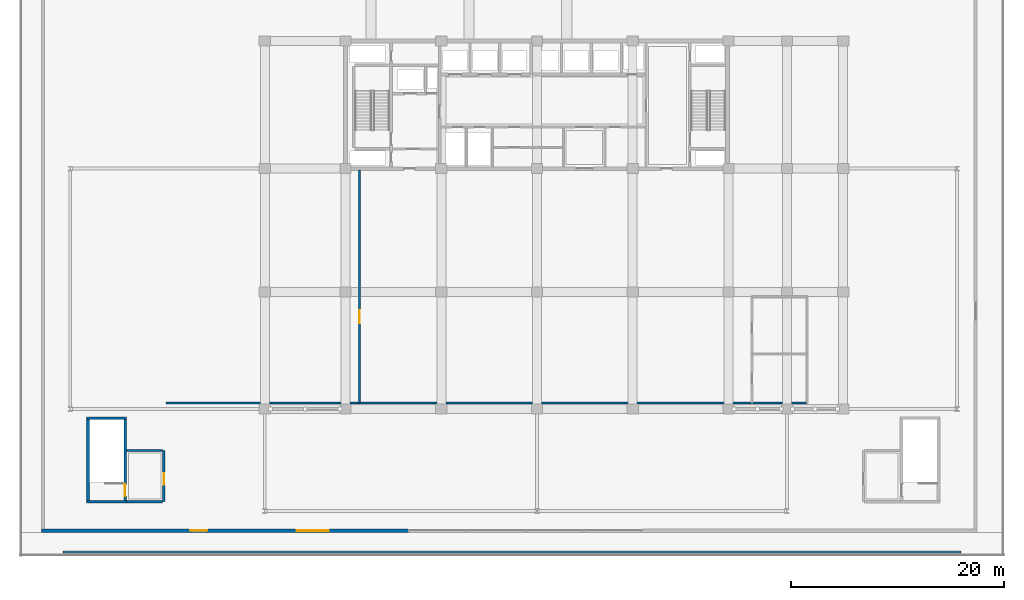
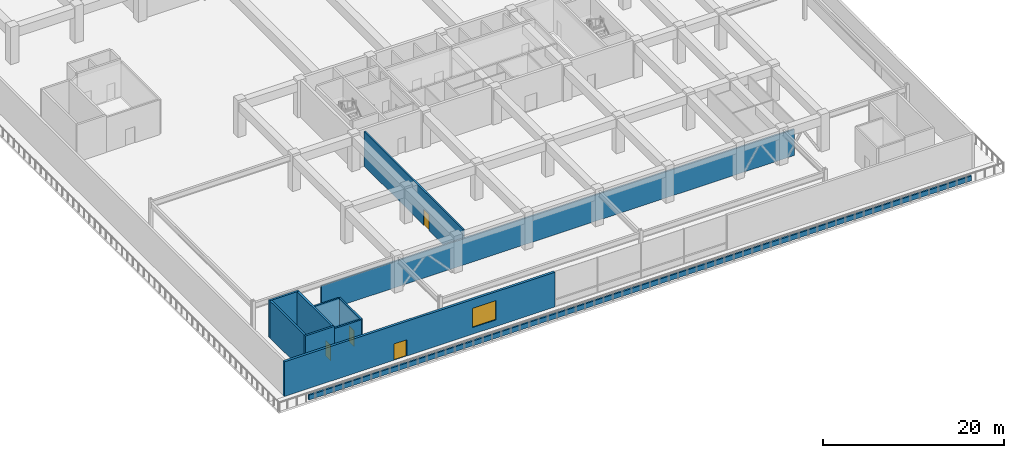
# One storey, part 21 of 38: 11 walls, 4 doors, 1 window, 5 openings.
"""IFC4 building model written with IfcOpenShell, lengths in metres."""

from ifc_helpers import new_model, si_unit, direction, frame, frame_2d, origin, place, context, subcontext, project, spatial, rectangle, extrude, material, layer, layer_set, type_object, element, fill, save


model = new_model("IFC4")

# Units and contexts
model_context = context("Model", 3, precision=1e-05, world=origin(), true_north=direction((0.0, 1.0)))
body_context = subcontext(model_context, "Body", "Model", "MODEL_VIEW")
ifc_project = project(units=[si_unit("LENGTHUNIT", "METRE"), si_unit("AREAUNIT", "SQUARE_METRE"), si_unit("VOLUMEUNIT", "CUBIC_METRE"), si_unit("PLANEANGLEUNIT", "RADIAN"), si_unit("MASSUNIT", "GRAM", prefix="KILO")], contexts=[model_context])

# Site, building, storey
site_placement = place(None, origin())
site = spatial("IfcSite", under=ifc_project, at=site_placement, CompositionType="ELEMENT")
building_placement = place(site_placement, origin())
building = spatial("IfcBuilding", under=site, at=building_placement, Name="Korimba Cascade Residences", CompositionType="ELEMENT")
storey_placement = place(building_placement, frame((0.0, 0.0, 19.0)))
storey = spatial("IfcBuildingStorey", under=building, at=storey_placement, Name="L04", CompositionType="ELEMENT", Elevation=19.0)

# Wall
ifc_material_1 = material(Name="Precast concrete C40/50", Category="concrete")
ifc_layer_1 = layer(ifc_material_1, 0.199951171875)
ifc_layer_set_1 = layer_set([ifc_layer_1], Name="Precast concrete C40/50")
wall_type_1 = type_object("IfcWallType", Name="EW-PLANTER-200", PredefinedType="PARAPET", material=ifc_layer_set_1)
wall_1_placement = place(storey_placement, frame((55.5, -17.64990234375, 0.0), z_axis=(0.0, 0.0, 1.0), x_axis=(1.0, 0.0, 0.0)))
element("IfcWall", 1, at=wall_1_placement, inside=storey, type_object=wall_type_1, Name="L04 Cascading Terrace Stone PLANTER Box S", PredefinedType="PARAPET", context=body_context, shape_type="SweptSolid", body=[
    extrude(rectangle(XDim=84.5, YDim=0.199951171875, at=frame_2d((42.25, 0.0))), origin(), (0.0, 0.0, 1.0), 0.64990234375),
])

# Wall, openings, door, window
ifc_layer_2 = layer(ifc_material_1, 0.300048828125)
ifc_layer_set_2 = layer_set([ifc_layer_2], Name="Precast concrete C40/50")
wall_type_2 = type_object("IfcWallType", Name="EW-STONE-300", PredefinedType="STANDARD", material=ifc_layer_set_2)
wall_2_placement = place(storey_placement, frame((53.5, -15.64990234375, 0.0), z_axis=(0.0, 0.0, 1.0), x_axis=(1.0, 0.0, 0.0)))
wall_2 = element("IfcWall", 2, at=wall_2_placement, inside=storey, type_object=wall_type_2, Name="L04 South-West Podium Wall", PredefinedType="STANDARD", context=body_context, shape_type="SweptSolid", body=[
    extrude(rectangle(XDim=34.5, YDim=0.300048828125, at=frame_2d((17.25, 0.0))), origin(), (0.0, 0.0, 1.0), 4.679931640625),
])
opening_1_placement = place(wall_2_placement, frame((14.0, 0.0, 0.0)))
opening_1 = element("IfcOpeningElement", 3, at=opening_1_placement, cuts=wall_2, Name="Opening D-TR1", PredefinedType="OPENING", context=body_context, shape_type="SweptSolid", body=[
    extrude(rectangle(XDim=1.60009765625, YDim=2.199951171875, at=frame_2d((0.800048828125, 1.10009765625))), frame((0.0, 0.16015625, 0.0), z_axis=(0.0, -1.0, 0.0), x_axis=(1.0, 0.0, 0.0)), (0.0, 0.0, 1.0), 0.320068359375),
])
opening_2_placement = place(wall_2_placement, frame((24.0, 0.0, 0.89990234375)))
opening_2 = element("IfcOpeningElement", 4, at=opening_2_placement, cuts=wall_2, Name="Opening W-04", PredefinedType="OPENING", context=body_context, shape_type="SweptSolid", body=[
    extrude(rectangle(XDim=3.0, YDim=2.60009765625, at=frame_2d((1.5, 1.300048828125))), frame((0.0, 0.16015625, 0.0), z_axis=(0.0, -1.0, 0.0), x_axis=(1.0, 0.0, 0.0)), (0.0, 0.0, 1.0), 0.320068359375),
])
ifc_material_2 = material(Name="Glazed Aluminium Terrace Door", Category="aluminium")
door_type_1 = type_object("IfcDoorType", Name="DR-EXT-TER", OperationType="NOTDEFINED", PredefinedType="DOOR", material=ifc_material_2)
door_1_placement = place(opening_1_placement, frame((1.60009765625, 0.0, 0.0), z_axis=(0.0, 0.0, 1.0), x_axis=(-1.0, 0.0, 0.0)))
door_1 = element("IfcDoor", 5, at=door_1_placement, inside=storey, type_object=door_type_1, Name="L04 South Terrace Access Door", OperationType="DOUBLE_DOOR_SINGLE_SWING", OverallHeight=2.199951171875, OverallWidth=1.60009765625, PredefinedType="DOOR", context=body_context, shape_type="SweptSolid", body=[
    extrude(rectangle(XDim=1.60009765625, YDim=2.199951171875, at=frame_2d((0.800048828125, 1.10009765625))), frame((0.0, 0.02490234375, 0.0), z_axis=(0.0, -1.0, 0.0), x_axis=(1.0, 0.0, 0.0)), (0.0, 0.0, 1.0), 0.050048828125),
])
fill(opening_1, door_1)
ifc_material_3 = material(Name="Double-Glazed Aluminium Window", Category="aluminium")
window_type = type_object("IfcWindowType", Name="WIN-POD-3000", PartitioningType="TRIPLE_PANEL_VERTICAL", PredefinedType="WINDOW", material=ifc_material_3)
window_placement = place(opening_2_placement, origin())
window = element("IfcWindow", 6, at=window_placement, inside=storey, type_object=window_type, Name="L04 South Podium Window", OverallHeight=2.60009765625, OverallWidth=3.0, PartitioningType="TRIPLE_PANEL_VERTICAL", PredefinedType="WINDOW", context=body_context, shape_type="SweptSolid", body=[
    extrude(rectangle(XDim=3.0, YDim=2.60009765625, at=frame_2d((1.5, 1.300048828125))), frame((0.0, 0.030029296875, 0.0), z_axis=(0.0, -1.0, 0.0), x_axis=(1.0, 0.0, 0.0)), (0.0, 0.0, 1.0), 0.06005859375),
])
fill(opening_2, window)

# Wall, opening, door
ifc_material_4 = material(Name="Concrete C40/50", Category="concrete")
ifc_layer_3 = layer(ifc_material_4, 0.199951171875)
ifc_layer_set_3 = layer_set([ifc_layer_3], Name="Concrete C40/50")
wall_type_3 = type_object("IfcWallType", Name="WAL-PART-200", PredefinedType="PARTITIONING", material=ifc_layer_set_3)
wall_3_placement = place(storey_placement, frame((65.0, -12.925048828125, 0.0), z_axis=(0.0, 0.0, 1.0), x_axis=(0.0, 1.0, 0.0)))
wall_3 = element("IfcWall", 7, at=wall_3_placement, inside=storey, type_object=wall_type_3, Name="L04 Partition Wall CW-L04-PL3E", PredefinedType="PARTITIONING", context=body_context, shape_type="SweptSolid", body=[
    extrude(rectangle(XDim=4.824951171875, YDim=0.199951171875, at=frame_2d((2.41259765625, 0.0))), origin(), (0.0, 0.0, 1.0), 4.679931640625),
])
opening_3_placement = place(wall_3_placement, frame((1.60009765625, 0.0, 0.0)))
opening_3 = element("IfcOpeningElement", 8, at=opening_3_placement, cuts=wall_3, Name="Opening D-FD6", PredefinedType="OPENING", context=body_context, shape_type="SweptSolid", body=[
    extrude(rectangle(XDim=1.10009765625, YDim=2.14990234375, at=frame_2d((0.550048828125, 1.074951171875))), frame((0.0, 0.10986328125, 0.0), z_axis=(0.0, -1.0, 0.0), x_axis=(1.0, 0.0, 0.0)), (0.0, 0.0, 1.0), 0.219970703125),
])
ifc_material_5 = material(Name="Fire-Rated Timber Stair Lobby Door", Category="wood")
door_type_2 = type_object("IfcDoorType", Name="DR-FD90-1100", OperationType="NOTDEFINED", PredefinedType="DOOR", material=ifc_material_5)
door_2_placement = place(opening_3_placement, origin())
door_2 = element("IfcDoor", 9, at=door_2_placement, inside=storey, type_object=door_type_2, Name="L04 South-West Stair Vestibule Door", OperationType="SINGLE_SWING_RIGHT", OverallHeight=2.14990234375, OverallWidth=1.10009765625, PredefinedType="DOOR", context=body_context, shape_type="SweptSolid", body=[
    extrude(rectangle(XDim=1.10009765625, YDim=2.14990234375, at=frame_2d((0.550048828125, 1.074951171875))), frame((0.0, 0.02490234375, 0.0), z_axis=(0.0, -1.0, 0.0), x_axis=(1.0, 0.0, 0.0)), (0.0, 0.0, 1.0), 0.050048828125),
])
fill(opening_3, door_2)

# Walls
for number, where, z_axis, x_axis, name in (
    (10, (61.5, -12.925048828125, 0.0), (0.0, 0.0, 1.0), (1.0, 0.0, 0.0), "L04 Partition Wall CW-L04-PL3S"),
    (11, (61.5, -8.10009765625, 0.0), (0.0, 0.0, 1.0), (1.0, 0.0, 0.0), "L04 Partition Wall CW-L04-PL3N"),
):
    element("IfcWall", number, at=place(storey_placement, frame(where, z_axis=z_axis, x_axis=x_axis)), inside=storey, type_object=wall_type_3, Name=name, PredefinedType="PARTITIONING", context=body_context, shape_type="SweptSolid", body=[
        extrude(rectangle(XDim=3.39990234375, YDim=0.199951171875, at=frame_2d((1.699951171875, 0.0))), origin(), (0.0, 0.0, 1.0), 4.679931640625),
    ])
wall_4_placement = place(storey_placement, frame((65.199951171875, -3.64990234375, 0.0), z_axis=(0.0, 0.0, 1.0), x_axis=(1.0, 0.0, 0.0)))
element("IfcWall", 12, at=wall_4_placement, inside=storey, type_object=wall_type_3, Name="L04 Partition Wall WAL-L04-SWS", PredefinedType="PARTITIONING", context=body_context, shape_type="SweptSolid", body=[
    extrude(rectangle(XDim=60.300048828125, YDim=0.199951171875, at=frame_2d((30.14990234375, 0.0))), origin(), (0.0, 0.0, 1.0), 3.530029296875),
])

# Wall, opening, door
wall_5_placement = place(storey_placement, frame((83.39990234375, -3.64990234375, 0.0), z_axis=(0.0, 0.0, 1.0), x_axis=(0.0, 1.0, 0.0)))
wall_5 = element("IfcWall", 13, at=wall_5_placement, inside=storey, type_object=wall_type_3, Name="L04 Partition Wall WAL-L04-SDIV", PredefinedType="PARTITIONING", context=body_context, shape_type="SweptSolid", body=[
    extrude(rectangle(XDim=21.89990234375, YDim=0.199951171875, at=frame_2d((10.949951171875, 0.0))), origin(), (0.0, 0.0, 1.0), 4.679931640625),
])
opening_4_placement = place(wall_5_placement, frame((7.500732421875, 0.0, 0.0)))
opening_4 = element("IfcOpeningElement", 14, at=opening_4_placement, cuts=wall_5, Name="Opening D-AM1", PredefinedType="OPENING", context=body_context, shape_type="SweptSolid", body=[
    extrude(rectangle(XDim=1.219970703125, YDim=2.179931640625, at=frame_2d((0.60986328125, 1.08984375))), frame((0.0, 0.10986328125, 0.0), z_axis=(0.0, -1.0, 0.0), x_axis=(1.0, 0.0, 0.0)), (0.0, 0.0, 1.0), 0.219970703125),
])
ifc_material_6 = material(Name="Fire-Rated Glazed Timber Suite Door", Category="wood")
door_type_3 = type_object("IfcDoorType", Name="DR-FD60-1200", OperationType="NOTDEFINED", PredefinedType="DOOR", material=ifc_material_6)
door_3_placement = place(opening_4_placement, origin())
door_3 = element("IfcDoor", 15, at=door_3_placement, inside=storey, type_object=door_type_3, Name="L04 South Podium Link Door", OperationType="SINGLE_SWING_LEFT", OverallHeight=2.179931640625, OverallWidth=1.219970703125, PredefinedType="DOOR", context=body_context, shape_type="SweptSolid", body=[
    extrude(rectangle(XDim=1.219970703125, YDim=2.179931640625, at=frame_2d((0.60986328125, 1.08984375))), frame((0.0, 0.02490234375, 0.0), z_axis=(0.0, -1.0, 0.0), x_axis=(1.0, 0.0, 0.0)), (0.0, 0.0, 1.0), 0.050048828125),
])
fill(opening_4, door_3)

# Walls
ifc_material_7 = material(Name="Concrete C50/60", Category="concrete")
ifc_layer_4 = layer(ifc_material_7, 0.25)
ifc_layer_set_4 = layer_set([ifc_layer_4], Name="Concrete C50/60")
wall_type_4 = type_object("IfcWallType", Name="WAL-SHAFT-250", PredefinedType="SHEAR", material=ifc_layer_set_4)
wall_6_placement = place(storey_placement, frame((57.875, -12.800048828125, 0.0), z_axis=(0.0, 0.0, 1.0), x_axis=(0.0, 1.0, 0.0)))
element("IfcWall", 16, at=wall_6_placement, inside=storey, type_object=wall_type_4, Name="L04 Core Shear Wall CW-L04-STP3W", PredefinedType="SHEAR", context=body_context, shape_type="SweptSolid", body=[
    extrude(rectangle(XDim=7.60009765625, YDim=0.25, at=frame_2d((3.800048828125, 0.0))), origin(), (0.0, 0.0, 1.0), 5.0),
])
for number, where, z_axis, x_axis, name in (
    (17, (57.75, -12.925048828125, 0.0), (0.0, 0.0, 1.0), (1.0, 0.0, 0.0), "L04 Core Shear Wall CW-L04-STP3S"),
    (18, (57.75, -5.074951171875, 0.0), (0.0, 0.0, 1.0), (1.0, 0.0, 0.0), "L04 Core Shear Wall CW-L04-STP3N"),
):
    element("IfcWall", number, at=place(storey_placement, frame(where, z_axis=z_axis, x_axis=x_axis)), inside=storey, type_object=wall_type_4, Name=name, PredefinedType="SHEAR", context=body_context, shape_type="SweptSolid", body=[
        extrude(rectangle(XDim=3.739990234375, YDim=0.25, at=frame_2d((1.8701171875, 0.0))), origin(), (0.0, 0.0, 1.0), 5.0),
    ])

# Wall, opening, door
wall_7_placement = place(storey_placement, frame((61.364990234375, -12.800048828125, 0.0), z_axis=(0.0, 0.0, 1.0), x_axis=(0.0, 1.0, 0.0)))
wall_7 = element("IfcWall", 19, at=wall_7_placement, inside=storey, type_object=wall_type_4, Name="L04 Core Shear Wall CW-L04-STP3E", PredefinedType="SHEAR", context=body_context, shape_type="SweptSolid", body=[
    extrude(rectangle(XDim=7.60009765625, YDim=0.25, at=frame_2d((3.800048828125, 0.0))), origin(), (0.0, 0.0, 1.0), 5.0),
])
opening_5_placement = place(wall_7_placement, frame((0.39990234375, 0.0, 0.0)))
opening_5 = element("IfcOpeningElement", 20, at=opening_5_placement, cuts=wall_7, Name="Opening D-FD1", PredefinedType="OPENING", context=body_context, shape_type="SweptSolid", body=[
    extrude(rectangle(XDim=1.10009765625, YDim=2.10009765625, at=frame_2d((0.550048828125, 1.050048828125))), frame((0.0, 0.135009765625, 0.0), z_axis=(0.0, -1.0, 0.0), x_axis=(1.0, 0.0, 0.0)), (0.0, 0.0, 1.0), 0.27001953125),
])
ifc_material_8 = material(Name="Fire-Rated Steel Core Door", Category="steel")
door_type_4 = type_object("IfcDoorType", Name="DR-FD120-1100", OperationType="NOTDEFINED", PredefinedType="DOOR", material=ifc_material_8)
door_4_placement = place(opening_5_placement, origin())
door_4 = element("IfcDoor", 21, at=door_4_placement, inside=storey, type_object=door_type_4, Name="L04 Podium Stair ST-P3 Door", OperationType="SINGLE_SWING_LEFT", OverallHeight=2.10009765625, OverallWidth=1.10009765625, PredefinedType="DOOR", context=body_context, shape_type="SweptSolid", body=[
    extrude(rectangle(XDim=1.10009765625, YDim=2.10009765625, at=frame_2d((0.550048828125, 1.050048828125))), frame((0.0, 0.02490234375, 0.0), z_axis=(0.0, -1.0, 0.0), x_axis=(1.0, 0.0, 0.0)), (0.0, 0.0, 1.0), 0.050048828125),
])
fill(opening_5, door_4)

save(model, "model.ifc")
